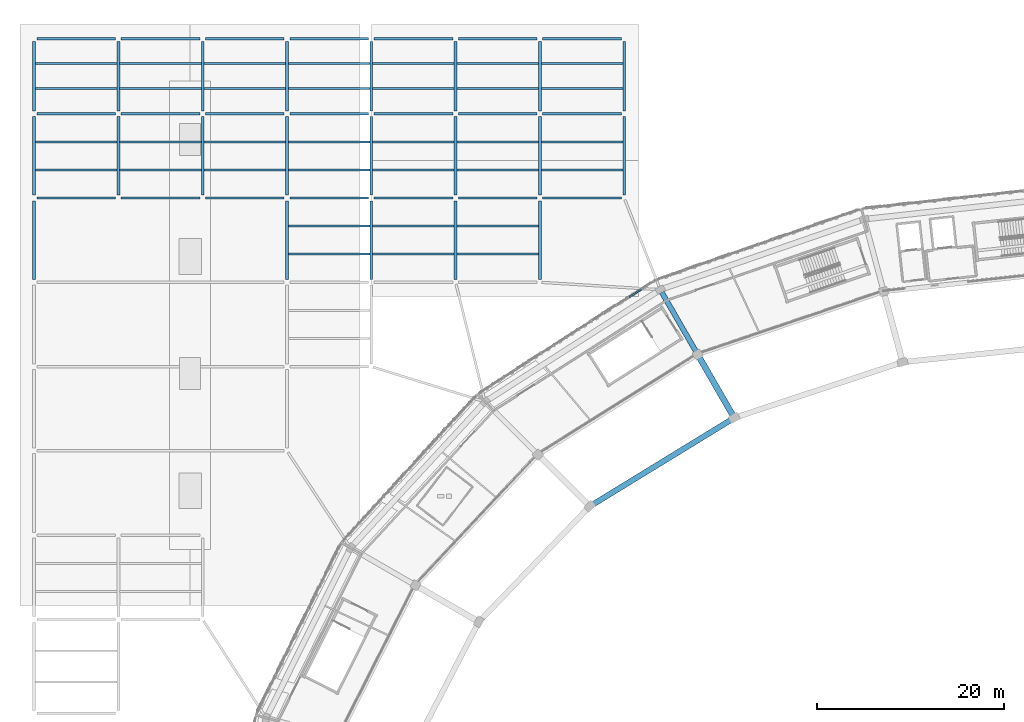
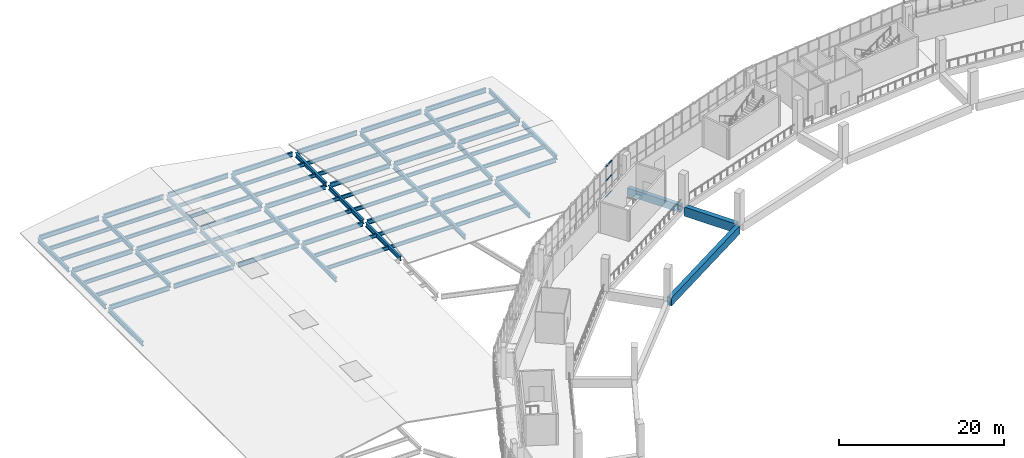
# One storey, part 36 of 108: 79 beams, 3 members, 1 element without a shape of its own.
"""IFC4 building model written with IfcOpenShell, lengths in metres."""

from ifc_helpers import new_model, si_unit, direction, frame, origin, origin_2d, place, context, subcontext, project, spatial, rectangle, i_section, extrude, material, material_profile, profile_set, type_object, element, aggregate, save


model = new_model("IFC4")

# Units and contexts
model_context = context("Model", 3, precision=1e-05, world=origin(), true_north=direction((0.0, 1.0)))
body_context = subcontext(model_context, "Body", "Model", "MODEL_VIEW")
ifc_project = project(units=[si_unit("LENGTHUNIT", "METRE"), si_unit("AREAUNIT", "SQUARE_METRE"), si_unit("VOLUMEUNIT", "CUBIC_METRE"), si_unit("PLANEANGLEUNIT", "RADIAN"), si_unit("MASSUNIT", "GRAM", prefix="KILO")], contexts=[model_context])

# Site, building, storey
site_placement = place(None, origin())
site = spatial("IfcSite", under=ifc_project, at=site_placement, CompositionType="ELEMENT")
building_placement = place(site_placement, origin())
building = spatial("IfcBuilding", under=site, at=building_placement, Name="Zevraka Park Crest Stadium", CompositionType="ELEMENT")
storey_placement = place(building_placement, frame((0.0, 0.0, 19.800048828125)))
storey = spatial("IfcBuildingStorey", under=building, at=storey_placement, Name="L04", CompositionType="ELEMENT", Elevation=19.800048828125)

# Beams
ifc_material_1 = material(Name="Concrete C40/50", Category="concrete")
ifc_material_profile_1 = material_profile(ifc_material_1, rectangle(XDim=0.64990234375, YDim=1.35009765625, at=origin_2d()), Name="RC 1350x650")
ifc_profile_set_1 = profile_set([ifc_material_profile_1], Name="Concrete C40/50")
beam_type_1 = type_object("IfcBeamType", Name="BG01", PredefinedType="BEAM", material=ifc_profile_set_1)
beam_1_placement = place(storey_placement, frame((74.60009765625, 143.7890625, -0.68505859375), z_axis=(-0.500041424909, 0.866001485781, 0.0), x_axis=(-0.866001485781, -0.500041424909, 0.0)))
element("IfcBeam", 1, at=beam_1_placement, inside=storey, type_object=beam_type_1, Name="Radial Girder BG01 L04-BC-08", PredefinedType="BEAM", context=body_context, shape_type="SweptSolid", body=[
    extrude(rectangle(XDim=0.64990234375, YDim=1.35009765625, at=origin_2d()), origin(), (0.0, 0.0, 1.0), 7.19970703125),
])
ifc_material_2 = material(Name="Concrete C40/50", Category="concrete")
ifc_material_profile_2 = material_profile(ifc_material_2, rectangle(XDim=0.550048828125, YDim=1.10009765625, at=origin_2d()), Name="RC 1100x550")
ifc_profile_set_2 = profile_set([ifc_material_profile_2], Name="Concrete C40/50")
beam_type_2 = type_object("IfcBeamType", Name="BG02", PredefinedType="BEAM", material=ifc_profile_set_2)
beam_2_placement = place(storey_placement, frame((70.699951171875, 150.5439453125, -0.56005859375), z_axis=(-0.500031859608, 0.86600700885, 0.0), x_axis=(-0.86600700885, -0.500031859608, 0.0)))
element("IfcBeam", 2, at=beam_2_placement, inside=storey, type_object=beam_type_2, Name="Radial Girder BG02 L04-CD-08", PredefinedType="BEAM", context=body_context, shape_type="SweptSolid", body=[
    extrude(rectangle(XDim=0.550048828125, YDim=1.10009765625, at=origin_2d()), origin(), (0.0, 0.0, 1.0), 7.3994140625),
])
ifc_material_3 = material(Name="Steel S355", Category="steel")
ifc_material_profile_3 = material_profile(ifc_material_3, i_section(OverallWidth=0.253662109375, OverallDepth=0.68359375, WebThickness=0.012451171875, FlangeThickness=0.01904296875, at=origin_2d()), Name="UKB 686x254x140")
ifc_profile_set_3 = profile_set([ifc_material_profile_3], Name="Steel S355")
beam_type_3 = type_object("IfcBeamType", Name="BG05", PredefinedType="BEAM", material=ifc_profile_set_3)
for number, where, z_axis, x_axis, name in (
    (3, (0.300048828125, 167.0, -0.60986328125), (1.0, 0.0, 0.0), (0.0, 1.0, 0.0), "Wing Girder BG05 L04-12/U"),
    (4, (0.300048828125, 176.0, -0.60986328125), (1.0, 0.0, 0.0), (0.0, 1.0, 0.0), "Wing Girder BG05 L04-12/V"),
    (5, (0.300048828125, 184.0, -0.60986328125), (1.0, 0.0, 0.0), (0.0, 1.0, 0.0), "Wing Girder BG05 L04-12/W"),
    (6, (9.300048828125, 167.0, -0.60986328125), (1.0, 0.0, 0.0), (0.0, 1.0, 0.0), "Wing Girder BG05 L04-23/U"),
    (7, (9.300048828125, 176.0, -0.60986328125), (1.0, 0.0, 0.0), (0.0, 1.0, 0.0), "Wing Girder BG05 L04-23/V"),
    (8, (9.300048828125, 184.0, -0.60986328125), (1.0, 0.0, 0.0), (0.0, 1.0, 0.0), "Wing Girder BG05 L04-23/W"),
    (9, (18.300048828125, 167.0, -0.60986328125), (1.0, 0.0, 0.0), (0.0, 1.0, 0.0), "Wing Girder BG05 L04-34/U"),
    (10, (18.300048828125, 176.0, -0.60986328125), (1.0, 0.0, 0.0), (0.0, 1.0, 0.0), "Wing Girder BG05 L04-34/V"),
    (11, (18.300048828125, 184.0, -0.60986328125), (1.0, 0.0, 0.0), (0.0, 1.0, 0.0), "Wing Girder BG05 L04-34/W"),
    (12, (27.300048828125, 167.0, -0.60986328125), (1.0, 0.0, 0.0), (0.0, 1.0, 0.0), "Wing Girder BG05 L04-45/U"),
    (13, (27.300048828125, 176.0, -0.60986328125), (1.0, 0.0, 0.0), (0.0, 1.0, 0.0), "Wing Girder BG05 L04-45/V"),
    (14, (27.300048828125, 184.0, -0.60986328125), (1.0, 0.0, 0.0), (0.0, 1.0, 0.0), "Wing Girder BG05 L04-45/W"),
    (15, (36.300048828125, 167.0, -0.60986328125), (1.0, 0.0, 0.0), (0.0, 1.0, 0.0), "Wing Girder BG05 L04-56/U"),
    (16, (36.300048828125, 176.0, -0.60986328125), (1.0, 0.0, 0.0), (0.0, 1.0, 0.0), "Wing Girder BG05 L04-56/V"),
    (17, (36.300048828125, 184.0, -0.60986328125), (1.0, 0.0, 0.0), (0.0, 1.0, 0.0), "Wing Girder BG05 L04-56/W"),
    (18, (45.300048828125, 167.0, -0.60986328125), (1.0, 0.0, 0.0), (0.0, 1.0, 0.0), "Wing Girder BG05 L04-67/U"),
    (19, (45.300048828125, 176.0, -0.60986328125), (1.0, 0.0, 0.0), (0.0, 1.0, 0.0), "Wing Girder BG05 L04-67/V"),
    (20, (45.300048828125, 184.0, -0.60986328125), (1.0, 0.0, 0.0), (0.0, 1.0, 0.0), "Wing Girder BG05 L04-67/W"),
    (21, (54.300048828125, 167.0, -0.60986328125), (1.0, 0.0, 0.0), (0.0, 1.0, 0.0), "Wing Girder BG05 L04-78/U"),
    (22, (54.300048828125, 176.0, -0.60986328125), (1.0, 0.0, 0.0), (0.0, 1.0, 0.0), "Wing Girder BG05 L04-78/V"),
    (23, (54.300048828125, 184.0, -0.60986328125), (1.0, 0.0, 0.0), (0.0, 1.0, 0.0), "Wing Girder BG05 L04-78/W"),
):
    element("IfcBeam", number, at=place(storey_placement, frame(where, z_axis=z_axis, x_axis=x_axis)), inside=storey, type_object=beam_type_3, Name=name, PredefinedType="BEAM", context=body_context, shape_type="SweptSolid", body=[
        extrude(i_section(OverallWidth=0.253662109375, OverallDepth=0.68359375, WebThickness=0.012451171875, FlangeThickness=0.01904296875, at=origin_2d()), origin(), (0.0, 0.0, 1.0), 8.39990234375),
    ])
ifc_material_4 = material(Name="Steel S355", Category="steel")
ifc_material_profile_4 = material_profile(ifc_material_4, i_section(OverallWidth=0.300048828125, OverallDepth=0.64990234375, WebThickness=0.01611328125, FlangeThickness=0.031005859375, at=origin_2d()), Name="HEB 650")
ifc_profile_set_4 = profile_set([ifc_material_profile_4], Name="Steel S355")
beam_type_4 = type_object("IfcBeamType", Name="BG07", PredefinedType="BEAM", material=ifc_profile_set_4)
for number, where, z_axis, x_axis, name in (
    (24, (0.0, 158.300048828125, -0.593017578125), (0.0, 1.0, 0.0), (-1.0, 0.0, 0.0), "Wing Girder BG07 L04-1/TU"),
    (25, (0.0, 167.300048828125, -0.593017578125), (0.0, 1.0, 0.0), (-1.0, 0.0, 0.0), "Wing Girder BG07 L04-1/UV"),
):
    element("IfcBeam", number, at=place(storey_placement, frame(where, z_axis=z_axis, x_axis=x_axis)), inside=storey, type_object=beam_type_4, Name=name, PredefinedType="BEAM", context=body_context, shape_type="SweptSolid", body=[
        extrude(i_section(OverallWidth=0.300048828125, OverallDepth=0.64990234375, WebThickness=0.01611328125, FlangeThickness=0.031005859375, at=origin_2d()), origin(), (0.0, 0.0, 1.0), 8.39990234375),
    ])
beam_3_placement = place(storey_placement, frame((0.0, 176.300048828125, -0.593017578125), z_axis=(0.0, 1.0, 0.0), x_axis=(-1.0, 0.0, 0.0)))
element("IfcBeam", 26, at=beam_3_placement, inside=storey, type_object=beam_type_4, Name="Wing Girder BG07 L04-1/VW", PredefinedType="BEAM", context=body_context, shape_type="SweptSolid", body=[
    extrude(i_section(OverallWidth=0.300048828125, OverallDepth=0.64990234375, WebThickness=0.01611328125, FlangeThickness=0.031005859375, at=origin_2d()), origin(), (0.0, 0.0, 1.0), 7.39990234375),
])
beam_4_placement = place(storey_placement, frame((9.0, 167.300048828125, -0.593017578125), z_axis=(0.0, 1.0, 0.0), x_axis=(-1.0, 0.0, 0.0)))
element("IfcBeam", 27, at=beam_4_placement, inside=storey, type_object=beam_type_4, Name="Wing Girder BG07 L04-2/UV", PredefinedType="BEAM", context=body_context, shape_type="SweptSolid", body=[
    extrude(i_section(OverallWidth=0.300048828125, OverallDepth=0.64990234375, WebThickness=0.01611328125, FlangeThickness=0.031005859375, at=origin_2d()), origin(), (0.0, 0.0, 1.0), 8.39990234375),
])
beam_5_placement = place(storey_placement, frame((9.0, 176.300048828125, -0.593017578125), z_axis=(0.0, 1.0, 0.0), x_axis=(-1.0, 0.0, 0.0)))
element("IfcBeam", 28, at=beam_5_placement, inside=storey, type_object=beam_type_4, Name="Wing Girder BG07 L04-2/VW", PredefinedType="BEAM", context=body_context, shape_type="SweptSolid", body=[
    extrude(i_section(OverallWidth=0.300048828125, OverallDepth=0.64990234375, WebThickness=0.01611328125, FlangeThickness=0.031005859375, at=origin_2d()), origin(), (0.0, 0.0, 1.0), 7.39990234375),
])
beam_6_placement = place(storey_placement, frame((18.0, 167.300048828125, -0.593017578125), z_axis=(0.0, 1.0, 0.0), x_axis=(-1.0, 0.0, 0.0)))
element("IfcBeam", 29, at=beam_6_placement, inside=storey, type_object=beam_type_4, Name="Wing Girder BG07 L04-3/UV", PredefinedType="BEAM", context=body_context, shape_type="SweptSolid", body=[
    extrude(i_section(OverallWidth=0.300048828125, OverallDepth=0.64990234375, WebThickness=0.01611328125, FlangeThickness=0.031005859375, at=origin_2d()), origin(), (0.0, 0.0, 1.0), 8.39990234375),
])
beam_7_placement = place(storey_placement, frame((18.0, 176.300048828125, -0.593017578125), z_axis=(0.0, 1.0, 0.0), x_axis=(-1.0, 0.0, 0.0)))
element("IfcBeam", 30, at=beam_7_placement, inside=storey, type_object=beam_type_4, Name="Wing Girder BG07 L04-3/VW", PredefinedType="BEAM", context=body_context, shape_type="SweptSolid", body=[
    extrude(i_section(OverallWidth=0.300048828125, OverallDepth=0.64990234375, WebThickness=0.01611328125, FlangeThickness=0.031005859375, at=origin_2d()), origin(), (0.0, 0.0, 1.0), 7.39990234375),
])
for number, where, z_axis, x_axis, name in (
    (31, (27.0, 158.300048828125, -0.593017578125), (0.0, 1.0, 0.0), (-1.0, 0.0, 0.0), "Wing Girder BG07 L04-4/TU"),
    (32, (27.0, 167.300048828125, -0.593017578125), (0.0, 1.0, 0.0), (-1.0, 0.0, 0.0), "Wing Girder BG07 L04-4/UV"),
):
    element("IfcBeam", number, at=place(storey_placement, frame(where, z_axis=z_axis, x_axis=x_axis)), inside=storey, type_object=beam_type_4, Name=name, PredefinedType="BEAM", context=body_context, shape_type="SweptSolid", body=[
        extrude(i_section(OverallWidth=0.300048828125, OverallDepth=0.64990234375, WebThickness=0.01611328125, FlangeThickness=0.031005859375, at=origin_2d()), origin(), (0.0, 0.0, 1.0), 8.39990234375),
    ])
beam_8_placement = place(storey_placement, frame((27.0, 176.300048828125, -0.593017578125), z_axis=(0.0, 1.0, 0.0), x_axis=(-1.0, 0.0, 0.0)))
element("IfcBeam", 33, at=beam_8_placement, inside=storey, type_object=beam_type_4, Name="Wing Girder BG07 L04-4/VW", PredefinedType="BEAM", context=body_context, shape_type="SweptSolid", body=[
    extrude(i_section(OverallWidth=0.300048828125, OverallDepth=0.64990234375, WebThickness=0.01611328125, FlangeThickness=0.031005859375, at=origin_2d()), origin(), (0.0, 0.0, 1.0), 7.39990234375),
])
for number, where, z_axis, x_axis, name in (
    (34, (36.0, 158.300048828125, -0.593017578125), (0.0, 1.0, 0.0), (-1.0, 0.0, 0.0), "Wing Girder BG07 L04-5/TU"),
    (35, (36.0, 167.300048828125, -0.593017578125), (0.0, 1.0, 0.0), (-1.0, 0.0, 0.0), "Wing Girder BG07 L04-5/UV"),
):
    element("IfcBeam", number, at=place(storey_placement, frame(where, z_axis=z_axis, x_axis=x_axis)), inside=storey, type_object=beam_type_4, Name=name, PredefinedType="BEAM", context=body_context, shape_type="SweptSolid", body=[
        extrude(i_section(OverallWidth=0.300048828125, OverallDepth=0.64990234375, WebThickness=0.01611328125, FlangeThickness=0.031005859375, at=origin_2d()), origin(), (0.0, 0.0, 1.0), 8.39990234375),
    ])
beam_9_placement = place(storey_placement, frame((36.0, 176.300048828125, -0.593017578125), z_axis=(0.0, 1.0, 0.0), x_axis=(-1.0, 0.0, 0.0)))
element("IfcBeam", 36, at=beam_9_placement, inside=storey, type_object=beam_type_4, Name="Wing Girder BG07 L04-5/VW", PredefinedType="BEAM", context=body_context, shape_type="SweptSolid", body=[
    extrude(i_section(OverallWidth=0.300048828125, OverallDepth=0.64990234375, WebThickness=0.01611328125, FlangeThickness=0.031005859375, at=origin_2d()), origin(), (0.0, 0.0, 1.0), 7.39990234375),
])
for number, where, z_axis, x_axis, name in (
    (37, (45.0, 158.300048828125, -0.593017578125), (0.0, 1.0, 0.0), (-1.0, 0.0, 0.0), "Wing Girder BG07 L04-6/TU"),
    (38, (45.0, 167.300048828125, -0.593017578125), (0.0, 1.0, 0.0), (-1.0, 0.0, 0.0), "Wing Girder BG07 L04-6/UV"),
):
    element("IfcBeam", number, at=place(storey_placement, frame(where, z_axis=z_axis, x_axis=x_axis)), inside=storey, type_object=beam_type_4, Name=name, PredefinedType="BEAM", context=body_context, shape_type="SweptSolid", body=[
        extrude(i_section(OverallWidth=0.300048828125, OverallDepth=0.64990234375, WebThickness=0.01611328125, FlangeThickness=0.031005859375, at=origin_2d()), origin(), (0.0, 0.0, 1.0), 8.39990234375),
    ])
beam_10_placement = place(storey_placement, frame((45.0, 176.300048828125, -0.593017578125), z_axis=(0.0, 1.0, 0.0), x_axis=(-1.0, 0.0, 0.0)))
element("IfcBeam", 39, at=beam_10_placement, inside=storey, type_object=beam_type_4, Name="Wing Girder BG07 L04-6/VW", PredefinedType="BEAM", context=body_context, shape_type="SweptSolid", body=[
    extrude(i_section(OverallWidth=0.300048828125, OverallDepth=0.64990234375, WebThickness=0.01611328125, FlangeThickness=0.031005859375, at=origin_2d()), origin(), (0.0, 0.0, 1.0), 7.39990234375),
])
for number, where, z_axis, x_axis, name in (
    (40, (54.0, 158.300048828125, -0.593017578125), (0.0, 1.0, 0.0), (-1.0, 0.0, 0.0), "Wing Girder BG07 L04-7/TU"),
    (41, (54.0, 167.300048828125, -0.593017578125), (0.0, 1.0, 0.0), (-1.0, 0.0, 0.0), "Wing Girder BG07 L04-7/UV"),
):
    element("IfcBeam", number, at=place(storey_placement, frame(where, z_axis=z_axis, x_axis=x_axis)), inside=storey, type_object=beam_type_4, Name=name, PredefinedType="BEAM", context=body_context, shape_type="SweptSolid", body=[
        extrude(i_section(OverallWidth=0.300048828125, OverallDepth=0.64990234375, WebThickness=0.01611328125, FlangeThickness=0.031005859375, at=origin_2d()), origin(), (0.0, 0.0, 1.0), 8.39990234375),
    ])
beam_11_placement = place(storey_placement, frame((54.0, 176.300048828125, -0.593017578125), z_axis=(0.0, 1.0, 0.0), x_axis=(-1.0, 0.0, 0.0)))
element("IfcBeam", 42, at=beam_11_placement, inside=storey, type_object=beam_type_4, Name="Wing Girder BG07 L04-7/VW", PredefinedType="BEAM", context=body_context, shape_type="SweptSolid", body=[
    extrude(i_section(OverallWidth=0.300048828125, OverallDepth=0.64990234375, WebThickness=0.01611328125, FlangeThickness=0.031005859375, at=origin_2d()), origin(), (0.0, 0.0, 1.0), 7.39990234375),
])
beam_12_placement = place(storey_placement, frame((63.0, 167.300048828125, -0.593017578125), z_axis=(0.0, 1.0, 0.0), x_axis=(-1.0, 0.0, 0.0)))
element("IfcBeam", 43, at=beam_12_placement, inside=storey, type_object=beam_type_4, Name="Wing Girder BG07 L04-8/UV", PredefinedType="BEAM", context=body_context, shape_type="SweptSolid", body=[
    extrude(i_section(OverallWidth=0.300048828125, OverallDepth=0.64990234375, WebThickness=0.01611328125, FlangeThickness=0.031005859375, at=origin_2d()), origin(), (0.0, 0.0, 1.0), 8.39990234375),
])
beam_13_placement = place(storey_placement, frame((63.0, 176.300048828125, -0.593017578125), z_axis=(0.0, 1.0, 0.0), x_axis=(-1.0, 0.0, 0.0)))
element("IfcBeam", 44, at=beam_13_placement, inside=storey, type_object=beam_type_4, Name="Wing Girder BG07 L04-8/VW", PredefinedType="BEAM", context=body_context, shape_type="SweptSolid", body=[
    extrude(i_section(OverallWidth=0.300048828125, OverallDepth=0.64990234375, WebThickness=0.01611328125, FlangeThickness=0.031005859375, at=origin_2d()), origin(), (0.0, 0.0, 1.0), 7.39990234375),
])

# Curtain wall, members
ifc_material_5 = material(Name="Anodised architectural aluminium and laminated safety glass", Category="aluminium")
curtain_wall_type = type_object("IfcCurtainWallType", Name="CW18", PredefinedType="NOTDEFINED", material=ifc_material_5)
curtain_wall_placement = place(storey_placement, origin())
curtain_wall = element("IfcCurtainWall", 45, at=curtain_wall_placement, inside=storey, type_object=curtain_wall_type, Name="Unitised Ring Curtain Wall CW18 L04-08", PredefinedType="NOTDEFINED")
ifc_material_6 = material(Name="Anodised architectural aluminium", Category="aluminium")
ifc_material_profile_5 = material_profile(ifc_material_6, rectangle(XDim=0.14990234375, YDim=0.070068359375, at=origin_2d()), Name="ALU TRANSOM 150x70")
ifc_profile_set_5 = profile_set([ifc_material_profile_5], Name="Anodised architectural aluminium")
member_type = type_object("IfcMemberType", Name="CT03", PredefinedType="USERDEFINED", material=ifc_profile_set_5)
member_1_placement = place(storey_placement, frame((64.808837890625, 157.2314453125, 0.034912109375), z_axis=(-0.841742345783, -0.539879452578, 0.0), x_axis=(0.539879452578, -0.841742345783, 0.0)))
member_1 = element("IfcMember", 46, at=member_1_placement, type_object=member_type, Name="CW18 transom 2.1", ObjectType="TRANSOM", PredefinedType="USERDEFINED", context=body_context, shape_type="SweptSolid", body=[
    extrude(rectangle(XDim=0.14990234375, YDim=0.070068359375, at=origin_2d()), origin(), (0.0, 0.0, 1.0), 1.51806640625),
])
member_2_placement = place(storey_placement, frame((64.808837890625, 157.2314453125, 2.39990234375), z_axis=(-0.841742345783, -0.539879452578, 0.0), x_axis=(0.539879452578, -0.841742345783, 0.0)))
member_2 = element("IfcMember", 47, at=member_2_placement, type_object=member_type, Name="CW18 transom 2.2", ObjectType="TRANSOM", PredefinedType="USERDEFINED", context=body_context, shape_type="SweptSolid", body=[
    extrude(rectangle(XDim=0.14990234375, YDim=0.070068359375, at=origin_2d()), origin(), (0.0, 0.0, 1.0), 1.51806640625),
])
member_3_placement = place(storey_placement, frame((64.808837890625, 157.2314453125, 4.5048828125), z_axis=(-0.841742345783, -0.539879452578, 0.0), x_axis=(0.539879452578, -0.841742345783, 0.0)))
member_3 = element("IfcMember", 48, at=member_3_placement, type_object=member_type, Name="CW18 transom 2.3", ObjectType="TRANSOM", PredefinedType="USERDEFINED", context=body_context, shape_type="SweptSolid", body=[
    extrude(rectangle(XDim=0.14990234375, YDim=0.070068359375, at=origin_2d()), origin(), (0.0, 0.0, 1.0), 1.51806640625),
])
aggregate(curtain_wall, [member_1, member_2, member_3])

# Beams
ifc_material_7 = material(Name="Concrete C40/50", Category="concrete")
ifc_material_profile_6 = material_profile(ifc_material_7, rectangle(XDim=0.60009765625, YDim=1.199951171875, at=origin_2d()), Name="RC 1200x600")
ifc_profile_set_6 = profile_set([ifc_material_profile_6], Name="Concrete C40/50")
beam_type_5 = type_object("IfcBeamType", Name="RB01", PredefinedType="BEAM", material=ifc_profile_set_6)
beam_14_placement = place(storey_placement, frame((74.426025390625, 143.330078125, -0.610107421875), z_axis=(-0.852632623571, -0.522510869956, 0.0), x_axis=(0.522510869956, -0.852632623571, 0.0)))
element("IfcBeam", 49, at=beam_14_placement, inside=storey, type_object=beam_type_5, Name="Ring Beam RB01 L04-B-08", PredefinedType="BEAM", context=body_context, shape_type="SweptSolid", body=[
    extrude(rectangle(XDim=0.60009765625, YDim=1.199951171875, at=origin_2d()), origin(), (0.0, 0.0, 1.0), 17.335693359375),
])
ifc_material_8 = material(Name="Steel S355", Category="steel")
ifc_material_profile_7 = material_profile(ifc_material_8, i_section(OverallWidth=0.2099609375, OverallDepth=0.550048828125, WebThickness=0.010986328125, FlangeThickness=0.01708984375, at=origin_2d()), Name="IPE 550")
ifc_profile_set_7 = profile_set([ifc_material_profile_7], Name="Steel S355")
beam_type_6 = type_object("IfcBeamType", Name="SJ04", PredefinedType="JOIST", material=ifc_profile_set_7)
for number, where, z_axis, x_axis, name in (
    (50, (0.14501953125, 170.0, -0.545166015625), (1.0, 0.0, 0.0), (0.0, 1.0, 0.0), "Wing Joist SJ04 L04-1/U-1"),
    (51, (0.14501953125, 173.0, -0.545166015625), (1.0, 0.0, 0.0), (0.0, 1.0, 0.0), "Wing Joist SJ04 L04-1/U-2"),
    (52, (0.14501953125, 178.6669921875, -0.545166015625), (1.0, 0.0, 0.0), (0.0, 1.0, 0.0), "Wing Joist SJ04 L04-1/V-1"),
    (53, (0.14501953125, 181.3330078125, -0.545166015625), (1.0, 0.0, 0.0), (0.0, 1.0, 0.0), "Wing Joist SJ04 L04-1/V-2"),
    (54, (9.14501953125, 170.0, -0.545166015625), (1.0, 0.0, 0.0), (0.0, 1.0, 0.0), "Wing Joist SJ04 L04-2/U-1"),
    (55, (9.14501953125, 173.0, -0.545166015625), (1.0, 0.0, 0.0), (0.0, 1.0, 0.0), "Wing Joist SJ04 L04-2/U-2"),
    (56, (9.14501953125, 178.6669921875, -0.545166015625), (1.0, 0.0, 0.0), (0.0, 1.0, 0.0), "Wing Joist SJ04 L04-2/V-1"),
    (57, (9.14501953125, 181.3330078125, -0.545166015625), (1.0, 0.0, 0.0), (0.0, 1.0, 0.0), "Wing Joist SJ04 L04-2/V-2"),
    (58, (18.14501953125, 170.0, -0.545166015625), (1.0, 0.0, 0.0), (0.0, 1.0, 0.0), "Wing Joist SJ04 L04-3/U-1"),
    (59, (18.14501953125, 173.0, -0.545166015625), (1.0, 0.0, 0.0), (0.0, 1.0, 0.0), "Wing Joist SJ04 L04-3/U-2"),
    (60, (18.14501953125, 178.6669921875, -0.545166015625), (1.0, 0.0, 0.0), (0.0, 1.0, 0.0), "Wing Joist SJ04 L04-3/V-1"),
    (61, (18.14501953125, 181.3330078125, -0.545166015625), (1.0, 0.0, 0.0), (0.0, 1.0, 0.0), "Wing Joist SJ04 L04-3/V-2"),
    (62, (27.14501953125, 161.0, -0.545166015625), (1.0, 0.0, 0.0), (0.0, 1.0, 0.0), "Wing Joist SJ04 L04-4/T-1"),
    (63, (27.14501953125, 164.0, -0.545166015625), (1.0, 0.0, 0.0), (0.0, 1.0, 0.0), "Wing Joist SJ04 L04-4/T-2"),
    (64, (27.14501953125, 170.0, -0.545166015625), (1.0, 0.0, 0.0), (0.0, 1.0, 0.0), "Wing Joist SJ04 L04-4/U-1"),
    (65, (27.14501953125, 173.0, -0.545166015625), (1.0, 0.0, 0.0), (0.0, 1.0, 0.0), "Wing Joist SJ04 L04-4/U-2"),
    (66, (27.14501953125, 178.6669921875, -0.545166015625), (1.0, 0.0, 0.0), (0.0, 1.0, 0.0), "Wing Joist SJ04 L04-4/V-1"),
    (67, (27.14501953125, 181.3330078125, -0.545166015625), (1.0, 0.0, 0.0), (0.0, 1.0, 0.0), "Wing Joist SJ04 L04-4/V-2"),
    (68, (36.14501953125, 161.0, -0.545166015625), (1.0, 0.0, 0.0), (0.0, 1.0, 0.0), "Wing Joist SJ04 L04-5/T-1"),
    (69, (36.14501953125, 164.0, -0.545166015625), (1.0, 0.0, 0.0), (0.0, 1.0, 0.0), "Wing Joist SJ04 L04-5/T-2"),
    (70, (36.14501953125, 170.0, -0.545166015625), (1.0, 0.0, 0.0), (0.0, 1.0, 0.0), "Wing Joist SJ04 L04-5/U-1"),
    (71, (36.14501953125, 173.0, -0.545166015625), (1.0, 0.0, 0.0), (0.0, 1.0, 0.0), "Wing Joist SJ04 L04-5/U-2"),
    (72, (36.14501953125, 178.6669921875, -0.545166015625), (1.0, 0.0, 0.0), (0.0, 1.0, 0.0), "Wing Joist SJ04 L04-5/V-1"),
    (73, (36.14501953125, 181.3330078125, -0.545166015625), (1.0, 0.0, 0.0), (0.0, 1.0, 0.0), "Wing Joist SJ04 L04-5/V-2"),
    (74, (45.14501953125, 161.0, -0.545166015625), (1.0, 0.0, 0.0), (0.0, 1.0, 0.0), "Wing Joist SJ04 L04-6/T-1"),
    (75, (45.14501953125, 164.0, -0.545166015625), (1.0, 0.0, 0.0), (0.0, 1.0, 0.0), "Wing Joist SJ04 L04-6/T-2"),
    (76, (45.14501953125, 170.0, -0.545166015625), (1.0, 0.0, 0.0), (0.0, 1.0, 0.0), "Wing Joist SJ04 L04-6/U-1"),
    (77, (45.14501953125, 173.0, -0.545166015625), (1.0, 0.0, 0.0), (0.0, 1.0, 0.0), "Wing Joist SJ04 L04-6/U-2"),
    (78, (45.14501953125, 178.6669921875, -0.545166015625), (1.0, 0.0, 0.0), (0.0, 1.0, 0.0), "Wing Joist SJ04 L04-6/V-1"),
    (79, (45.14501953125, 181.3330078125, -0.545166015625), (1.0, 0.0, 0.0), (0.0, 1.0, 0.0), "Wing Joist SJ04 L04-6/V-2"),
    (80, (54.14501953125, 170.0, -0.545166015625), (1.0, 0.0, 0.0), (0.0, 1.0, 0.0), "Wing Joist SJ04 L04-7/U-1"),
    (81, (54.14501953125, 173.0, -0.545166015625), (1.0, 0.0, 0.0), (0.0, 1.0, 0.0), "Wing Joist SJ04 L04-7/U-2"),
    (82, (54.14501953125, 178.6669921875, -0.545166015625), (1.0, 0.0, 0.0), (0.0, 1.0, 0.0), "Wing Joist SJ04 L04-7/V-1"),
    (83, (54.14501953125, 181.3330078125, -0.545166015625), (1.0, 0.0, 0.0), (0.0, 1.0, 0.0), "Wing Joist SJ04 L04-7/V-2"),
):
    element("IfcBeam", number, at=place(storey_placement, frame(where, z_axis=z_axis, x_axis=x_axis)), inside=storey, type_object=beam_type_6, Name=name, PredefinedType="JOIST", context=body_context, shape_type="SweptSolid", body=[
        extrude(i_section(OverallWidth=0.2099609375, OverallDepth=0.550048828125, WebThickness=0.010986328125, FlangeThickness=0.01708984375, at=origin_2d()), origin(), (0.0, 0.0, 1.0), 8.7099609375),
    ])

save(model, "model.ifc")
